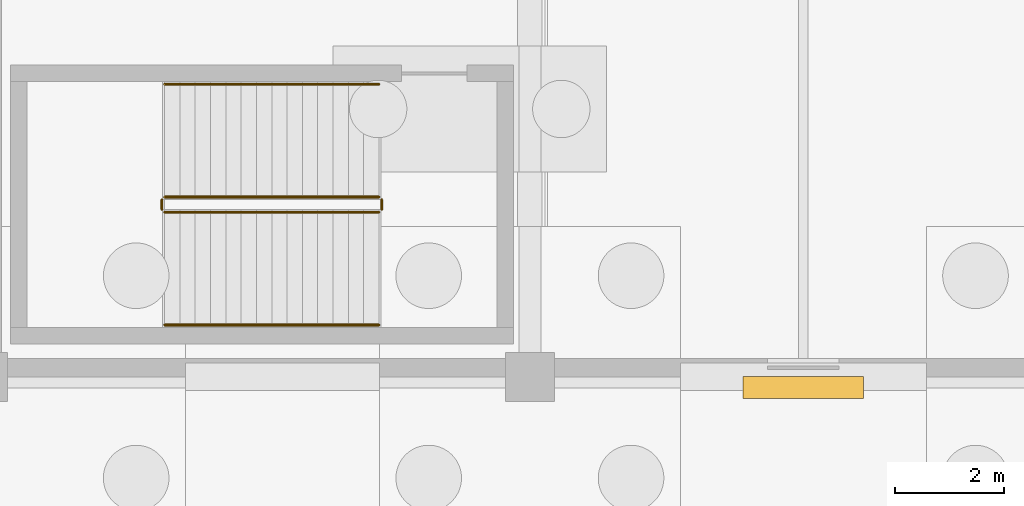
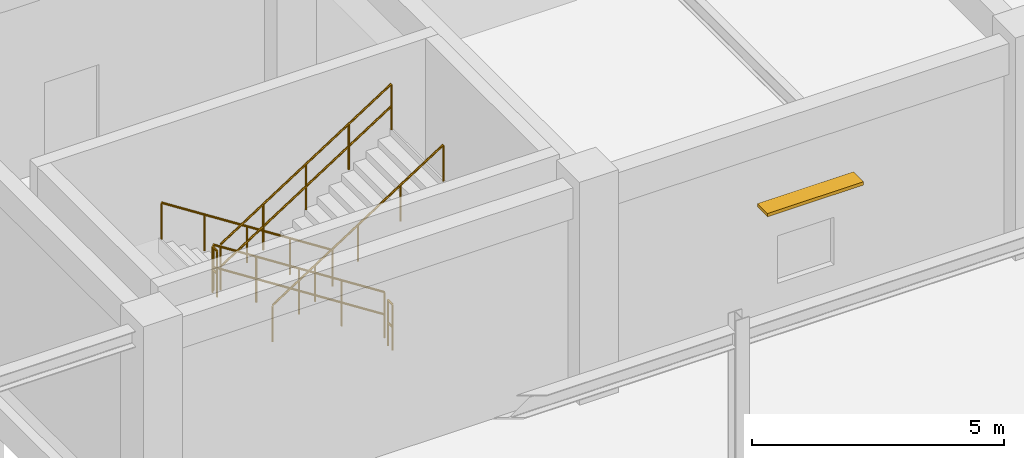
# One storey, part 90 of 99: 6 railings, 1 shading device.
"""IFC4 building model written with IfcOpenShell, lengths in metres."""

from ifc_helpers import new_model, si_unit, direction, frame, origin, origin_2d, place, context, subcontext, project, spatial, rectangle, circle, extrude, material, layer, layer_set, type_object, element, save


model = new_model("IFC4")

# Units and contexts
model_context = context("Model", 3, precision=1e-05, world=origin(), true_north=direction((0.0, 1.0)))
body_context = subcontext(model_context, "Body", "Model", "MODEL_VIEW")
ifc_project = project(units=[si_unit("LENGTHUNIT", "METRE"), si_unit("AREAUNIT", "SQUARE_METRE"), si_unit("VOLUMEUNIT", "CUBIC_METRE"), si_unit("PLANEANGLEUNIT", "RADIAN"), si_unit("MASSUNIT", "GRAM", prefix="KILO")], contexts=[model_context])

# Site, building, storey
site_placement = place(None, origin())
site = spatial("IfcSite", under=ifc_project, at=site_placement, CompositionType="ELEMENT")
building_placement = place(site_placement, origin())
building = spatial("IfcBuilding", under=site, at=building_placement, Name="Kivolera Central Railway Station", CompositionType="ELEMENT")
storey_placement = place(building_placement, origin())
storey = spatial("IfcBuildingStorey", under=building, at=storey_placement, Name="L00", CompositionType="ELEMENT", Elevation=0.0)

# Shading device
ifc_material = material(Name="Anodised aluminium", Category="aluminium")
ifc_layer_1 = layer(ifc_material, 0.080078125, Name="Anodised aluminium")
ifc_layer_set_1 = layer_set([ifc_layer_1], Name="Anodised aluminium")
shading_device_type = type_object("IfcShadingDeviceType", Name="BS-LVR-B", PredefinedType="JALOUSIE", material=ifc_layer_set_1)
shading_device_placement = place(storey_placement, frame((133.0, 53.80810546875, 3.010009765625), z_axis=(0.0, 0.0, 1.0), x_axis=(1.0, 0.0, 0.0)))
element("IfcShadingDevice", 1, at=shading_device_placement, inside=storey, type_object=shading_device_type, Name="L00 South Monsoon Window Sun-Louvre 128", PredefinedType="JALOUSIE", context=body_context, shape_type="SweptSolid", body=[
    extrude(rectangle(XDim=2.199951171875, YDim=0.39990234375, at=origin_2d()), origin(), (0.0, 0.0, 1.0), 0.080078125),
])

# Railings
ifc_layer_2 = layer(ifc_material, 0.048095703125, Name="Anodised aluminium")
ifc_layer_set_2 = layer_set([ifc_layer_2], Name="Anodised aluminium")
railing_type_1 = type_object("IfcRailingType", Name="RL-STAIR-GUARD", PredefinedType="GUARDRAIL", material=ifc_layer_set_2)
railing_1_placement = place(storey_placement, frame((125.239990234375, 57.2900390625, 0.179931640625)))
element("IfcRailing", 2, at=railing_1_placement, inside=storey, type_object=railing_type_1, Name="L00 ST4 stair guard 1", PredefinedType="GUARDRAIL", context=body_context, shape_type="SweptSolid", body=[
    extrude(circle(Radius=0.02392578125, at=origin_2d()), frame((0.0, 0.0, 1.10595703125), z_axis=(-0.841171666519, 0.0, 0.540768182723), x_axis=(0.0, -1.0, 0.0)), (0.0, 0.0, 1.0), 4.66015625),
    extrude(circle(Radius=0.02392578125, at=origin_2d()), frame((0.0, 0.0, 0.56494140625), z_axis=(-0.841171666519, 0.0, 0.540768182723), x_axis=(0.0, -1.0, 0.0)), (0.0, 0.0, 1.0), 4.66015625),
    extrude(circle(Radius=0.02099609375, at=origin_2d()), origin(), (0.0, 0.0, 1.0), 1.081787109375),
    extrude(circle(Radius=0.02099609375, at=origin_2d()), frame((-0.97998046875, 0.0, 0.6298828125)), (0.0, 0.0, 1.0), 1.081787109375),
    extrude(circle(Radius=0.02099609375, at=origin_2d()), frame((-1.9599609375, 0.0, 1.260009765625)), (0.0, 0.0, 1.0), 1.081787109375),
    extrude(circle(Radius=0.02099609375, at=origin_2d()), frame((-2.93994140625, 0.0, 1.89013671875)), (0.0, 0.0, 1.0), 1.081787109375),
    extrude(circle(Radius=0.02099609375, at=origin_2d()), frame((-3.919921875, 0.0, 2.52001953125)), (0.0, 0.0, 1.0), 1.081787109375),
])
railing_2_placement = place(storey_placement, frame((121.27001953125, 57.239990234375, 2.699951171875)))
element("IfcRailing", 3, at=railing_2_placement, inside=storey, type_object=railing_type_1, Name="L00 ST4 stair guard 2", PredefinedType="GUARDRAIL", context=body_context, shape_type="SweptSolid", body=[
    extrude(circle(Radius=0.02392578125, at=origin_2d()), frame((0.0, 0.0, 1.10595703125), z_axis=(0.0, -1.0, 0.0), x_axis=(1.0, 0.0, 0.0)), (0.0, 0.0, 1.0), 0.179931640625),
    extrude(circle(Radius=0.02392578125, at=origin_2d()), frame((0.0, 0.0, 0.56494140625), z_axis=(0.0, -1.0, 0.0), x_axis=(1.0, 0.0, 0.0)), (0.0, 0.0, 1.0), 0.179931640625),
    extrude(circle(Radius=0.02099609375, at=origin_2d()), origin(), (0.0, 0.0, 1.0), 1.081787109375),
    extrude(circle(Radius=0.02099609375, at=origin_2d()), frame((0.0, -0.179931640625, 0.0)), (0.0, 0.0, 1.0), 1.081787109375),
])
railing_3_placement = place(storey_placement, frame((121.320068359375, 57.010009765625, 2.8798828125)))
element("IfcRailing", 4, at=railing_3_placement, inside=storey, type_object=railing_type_1, Name="L00 ST4 stair guard 3", PredefinedType="GUARDRAIL", context=body_context, shape_type="SweptSolid", body=[
    extrude(circle(Radius=0.02392578125, at=origin_2d()), frame((0.0, 0.0, 1.10595703125), z_axis=(0.841171666519, 0.0, 0.540768182723), x_axis=(0.0, 1.0, 0.0)), (0.0, 0.0, 1.0), 4.66015625),
    extrude(circle(Radius=0.02392578125, at=origin_2d()), frame((0.0, 0.0, 0.56494140625), z_axis=(0.841171666519, 0.0, 0.540768182723), x_axis=(0.0, 1.0, 0.0)), (0.0, 0.0, 1.0), 4.66015625),
    extrude(circle(Radius=0.02099609375, at=origin_2d()), origin(), (0.0, 0.0, 1.0), 1.081787109375),
    extrude(circle(Radius=0.02099609375, at=origin_2d()), frame((0.97998046875, 0.0, 0.6298828125)), (0.0, 0.0, 1.0), 1.081787109375),
    extrude(circle(Radius=0.02099609375, at=origin_2d()), frame((1.9599609375, 0.0, 1.260009765625)), (0.0, 0.0, 1.0), 1.081787109375),
    extrude(circle(Radius=0.02099609375, at=origin_2d()), frame((2.93994140625, 0.0, 1.89013671875)), (0.0, 0.0, 1.0), 1.081787109375),
    extrude(circle(Radius=0.02099609375, at=origin_2d()), frame((3.919921875, 0.0, 2.52001953125)), (0.0, 0.0, 1.0), 1.081787109375),
])
railing_4_placement = place(storey_placement, frame((125.2900390625, 57.239990234375, 0.0)))
element("IfcRailing", 5, at=railing_4_placement, inside=storey, type_object=railing_type_1, Name="L00 ST4 stair guard 4", PredefinedType="GUARDRAIL", context=body_context, shape_type="SweptSolid", body=[
    extrude(circle(Radius=0.02392578125, at=origin_2d()), frame((0.0, 0.0, 1.10595703125), z_axis=(0.0, -1.0, 0.0), x_axis=(1.0, 0.0, 0.0)), (0.0, 0.0, 1.0), 0.179931640625),
    extrude(circle(Radius=0.02392578125, at=origin_2d()), frame((0.0, 0.0, 0.56494140625), z_axis=(0.0, -1.0, 0.0), x_axis=(1.0, 0.0, 0.0)), (0.0, 0.0, 1.0), 0.179931640625),
    extrude(circle(Radius=0.02099609375, at=origin_2d()), origin(), (0.0, 0.0, 1.0), 1.081787109375),
    extrude(circle(Radius=0.02099609375, at=origin_2d()), frame((0.0, -0.179931640625, 0.0)), (0.0, 0.0, 1.0), 1.081787109375),
])
ifc_layer_3 = layer(ifc_material, 0.048095703125, Name="Anodised aluminium")
ifc_layer_set_3 = layer_set([ifc_layer_3], Name="Anodised aluminium")
railing_type_2 = type_object("IfcRailingType", Name="RL-STAIR-HAND", PredefinedType="HANDRAIL", material=ifc_layer_set_3)
railing_5_placement = place(storey_placement, frame((125.239990234375, 59.35009765625, 0.179931640625)))
element("IfcRailing", 6, at=railing_5_placement, inside=storey, type_object=railing_type_2, Name="L00 ST4 stair handrail 1", PredefinedType="HANDRAIL", context=body_context, shape_type="SweptSolid", body=[
    extrude(circle(Radius=0.02392578125, at=origin_2d()), frame((0.0, 0.0, 0.8759765625), z_axis=(-0.841171666519, 0.0, 0.540768182723), x_axis=(0.0, -1.0, 0.0)), (0.0, 0.0, 1.0), 4.66015625),
    extrude(circle(Radius=0.02099609375, at=origin_2d()), origin(), (0.0, 0.0, 1.0), 0.851806640625),
    extrude(circle(Radius=0.02099609375, at=origin_2d()), frame((-0.97998046875, 0.0, 0.6298828125)), (0.0, 0.0, 1.0), 0.851806640625),
    extrude(circle(Radius=0.02099609375, at=origin_2d()), frame((-1.9599609375, 0.0, 1.260009765625)), (0.0, 0.0, 1.0), 0.851806640625),
    extrude(circle(Radius=0.02099609375, at=origin_2d()), frame((-2.93994140625, 0.0, 1.89013671875)), (0.0, 0.0, 1.0), 0.851806640625),
    extrude(circle(Radius=0.02099609375, at=origin_2d()), frame((-3.919921875, 0.0, 2.52001953125)), (0.0, 0.0, 1.0), 0.851806640625),
])
railing_6_placement = place(storey_placement, frame((121.320068359375, 54.949951171875, 2.8798828125)))
element("IfcRailing", 7, at=railing_6_placement, inside=storey, type_object=railing_type_2, Name="L00 ST4 stair handrail 2", PredefinedType="HANDRAIL", context=body_context, shape_type="SweptSolid", body=[
    extrude(circle(Radius=0.02392578125, at=origin_2d()), frame((0.0, 0.0, 0.8759765625), z_axis=(0.841171666519, 0.0, 0.540768182723), x_axis=(0.0, 1.0, 0.0)), (0.0, 0.0, 1.0), 4.66015625),
    extrude(circle(Radius=0.02099609375, at=origin_2d()), origin(), (0.0, 0.0, 1.0), 0.851806640625),
    extrude(circle(Radius=0.02099609375, at=origin_2d()), frame((0.97998046875, 0.0, 0.6298828125)), (0.0, 0.0, 1.0), 0.851806640625),
    extrude(circle(Radius=0.02099609375, at=origin_2d()), frame((1.9599609375, 0.0, 1.260009765625)), (0.0, 0.0, 1.0), 0.851806640625),
    extrude(circle(Radius=0.02099609375, at=origin_2d()), frame((2.93994140625, 0.0, 1.89013671875)), (0.0, 0.0, 1.0), 0.851806640625),
    extrude(circle(Radius=0.02099609375, at=origin_2d()), frame((3.919921875, 0.0, 2.52001953125)), (0.0, 0.0, 1.0), 0.851806640625),
])

save(model, "model.ifc")
